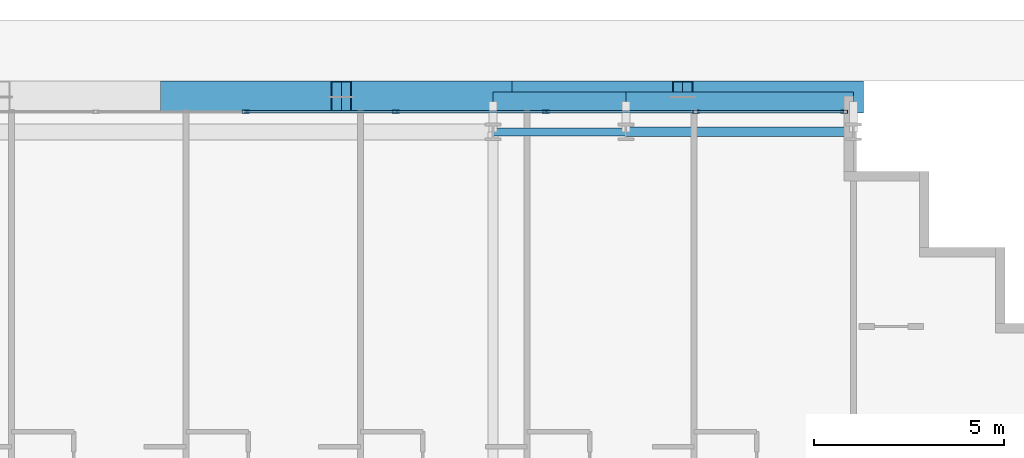
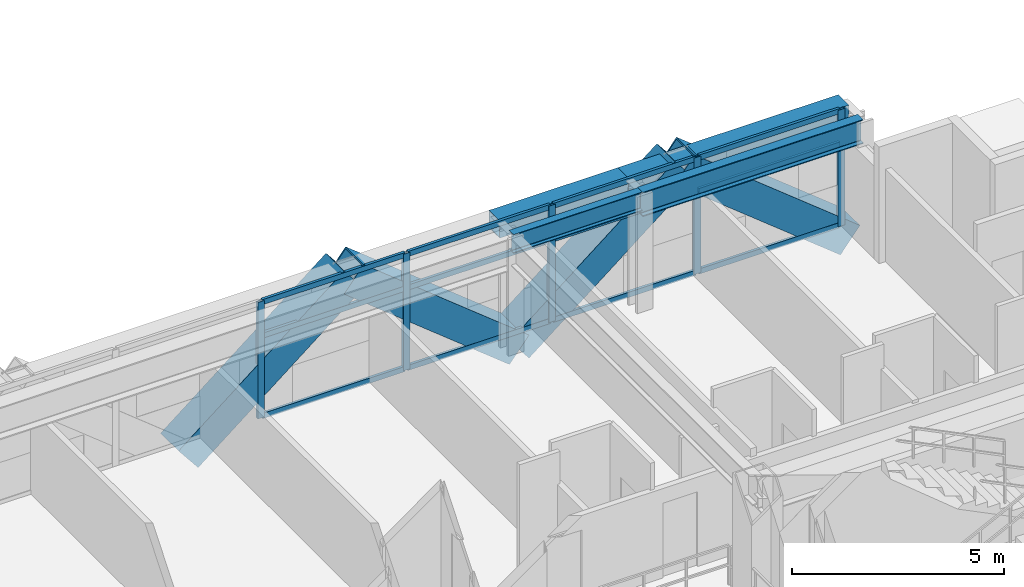
# One storey, part 20 of 35: 21 members, 4 beams, 1 element without a shape of its own.
"""IFC4 building model written with IfcOpenShell, lengths in metres."""

import ifcopenshell
import ifcopenshell.guid

model = None  # the IFC model being written
_history = None  # IfcOwnerHistory: only IFC2X3 demands one
_inside = {}  # id of a spatial element -> (the spatial element, [elements in it])
_under = {}  # id of a project, library or spatial element -> (it, [spatial elements below it])
_declared = {}  # id of a project -> (the project, [libraries it declares])
_typed = {}  # id of a type object -> (the type object, [elements of that type])
_made_of = {}  # id of a material, layer set ... -> (it, [elements and type objects made of it])


def new_model(schema):
    """Start an empty IFC model of exactly this schema.

    Asked for "IFC4X3", IfcOpenShell would pick the latest addendum, in which some entities
    have other attributes; the version numbers below select the first issue.
    IFC2X3 requires an IfcOwnerHistory on every rooted entity: one is made here for all.
    """
    global model, _history
    if schema == "IFC4X3":
        model = ifcopenshell.file(schema_version=(4, 3, 0, 0))
    else:
        model = ifcopenshell.file(schema=schema)
    _inside.clear()
    _under.clear()
    _declared.clear()
    _typed.clear()
    _made_of.clear()
    _history = None
    if model.schema == "IFC2X3":
        org = make("IfcOrganization", Name="unknown")
        user = make(
            "IfcPersonAndOrganization",
            ThePerson=make("IfcPerson", FamilyName="unknown"),
            TheOrganization=org,
        )
        app = make(
            "IfcApplication",
            ApplicationDeveloper=org,
            Version="unknown",
            ApplicationFullName="unknown",
            ApplicationIdentifier="unknown",
        )
        _history = make(
            "IfcOwnerHistory",
            OwningUser=user,
            OwningApplication=app,
            ChangeAction="ADDED",
            CreationDate=0,
        )
    return model


def make(cls, **values):
    """One entity of the class cls with the attributes given. An attribute that is None is left unset."""
    return model.create_entity(
        cls, **{name: value for name, value in values.items() if value is not None}
    )


def rooted(cls, **values):
    """An entity with a GlobalId (a new one), such as an element, a storey or a relation."""
    return make(cls, GlobalId=ifcopenshell.guid.new(), OwnerHistory=_history, **values)


def si_unit(unit_type, name, prefix=None):
    """IfcSIUnit, for example si_unit("LENGTHUNIT", "METRE", prefix="MILLI")."""
    return make("IfcSIUnit", UnitType=unit_type, Prefix=prefix, Name=name)


def assignment(units):
    """IfcUnitAssignment: the units of a project."""
    return None if units is None else make("IfcUnitAssignment", Units=units)


def point(xyz):
    """IfcCartesianPoint."""
    return None if xyz is None else make("IfcCartesianPoint", Coordinates=xyz)


def direction(xyz):
    """IfcDirection."""
    return None if xyz is None else make("IfcDirection", DirectionRatios=xyz)


def frame(location, z_axis=None, x_axis=None):
    """IfcAxis2Placement3D, a coordinate frame: its origin and axes. An axis left out is left unset."""
    return make(
        "IfcAxis2Placement3D",
        Location=point(location),
        Axis=direction(z_axis),
        RefDirection=direction(x_axis),
    )


def frame_2d(location, x_axis=None):
    """IfcAxis2Placement2D, a coordinate frame in the plane: its origin and x axis."""
    return make(
        "IfcAxis2Placement2D", Location=point(location), RefDirection=direction(x_axis)
    )


def origin():
    """The frame at (0, 0, 0) with its axes left unset."""
    return frame((0.0, 0.0, 0.0))


def origin_2d():
    """The frame at (0, 0) in the plane with its x axis left unset."""
    return frame_2d((0.0, 0.0))


def place(relative_to, where):
    """IfcLocalPlacement: puts the frame where relative to a parent placement (None: the world)."""
    return make(
        "IfcLocalPlacement", PlacementRelTo=relative_to, RelativePlacement=where
    )


def context(
    kind, dimensions, precision=None, world=None, true_north=None, identifier=None
):
    """IfcGeometricRepresentationContext, for example the 3D "Model" context."""
    return make(
        "IfcGeometricRepresentationContext",
        ContextIdentifier=identifier,
        ContextType=kind,
        CoordinateSpaceDimension=dimensions,
        Precision=precision,
        WorldCoordinateSystem=world,
        TrueNorth=true_north,
    )


def subcontext(parent, identifier, kind, view, scale=None):
    """IfcGeometricRepresentationSubContext, for example "Body" below "Model"."""
    return make(
        "IfcGeometricRepresentationSubContext",
        ContextIdentifier=identifier,
        ContextType=kind,
        ParentContext=parent,
        TargetScale=scale,
        TargetView=view,
    )


def project(units=None, contexts=None):
    """IfcProject with its units and contexts."""
    return rooted(
        "IfcProject",
        Name="project",
        RepresentationContexts=contexts,
        UnitsInContext=assignment(units),
    )


def spatial(cls, under=None, at=None, **own):
    """A site, building, storey or space (cls), placed at a placement, below another one or the project."""
    s = rooted(cls, ObjectPlacement=at, **own)
    if under is not None:
        _under.setdefault(under.id(), (under, []))[1].append(s)
    return s


def profile(cls, at=None, kind="AREA", **sizes):
    """A parametric profile (cls). Its sizes go by their IFC names, for example OverallWidth=200.0."""
    return make(cls, ProfileType=kind, Position=at, **sizes)


def hollow_rectangle(**sizes):
    """IfcRectangleHollowProfileDef."""
    return profile("IfcRectangleHollowProfileDef", **sizes)


def i_section(**sizes):
    """IfcIShapeProfileDef."""
    return profile("IfcIShapeProfileDef", **sizes)


def extrude(swept, where, along, depth):
    """IfcExtrudedAreaSolid: the profile swept, set in the frame where, extruded along a direction by depth."""
    return make(
        "IfcExtrudedAreaSolid",
        SweptArea=swept,
        Position=where,
        ExtrudedDirection=direction(along),
        Depth=depth,
    )


def shape(context_of_items, identifier, shape_type, items):
    """IfcShapeRepresentation: the items that make up one representation, for example the "Body"."""
    return make(
        "IfcShapeRepresentation",
        ContextOfItems=context_of_items,
        RepresentationIdentifier=identifier,
        RepresentationType=shape_type,
        Items=items,
    )


def source(mapping_origin, context_of_items, identifier, shape_type, items):
    """IfcRepresentationMap: a shape defined once, which mapped items show again and again."""
    return make(
        "IfcRepresentationMap",
        MappingOrigin=mapping_origin,
        MappedRepresentation=shape(context_of_items, identifier, shape_type, items),
    )


def transform(
    local_origin,
    x_axis=None,
    y_axis=None,
    z_axis=None,
    scale=None,
    scale2=None,
    scale3=None,
    uniform=True,
):
    """IfcCartesianTransformationOperator3D, or its non-uniform kind. x_axis, y_axis, z_axis: its Axis1, 2, 3."""
    if uniform:
        return make(
            "IfcCartesianTransformationOperator3D",
            Axis1=direction(x_axis),
            Axis2=direction(y_axis),
            LocalOrigin=point(local_origin),
            Scale=scale,
            Axis3=direction(z_axis),
        )
    return make(
        "IfcCartesianTransformationOperator3DnonUniform",
        Axis1=direction(x_axis),
        Axis2=direction(y_axis),
        LocalOrigin=point(local_origin),
        Scale=scale,
        Axis3=direction(z_axis),
        Scale2=scale2,
        Scale3=scale3,
    )


def mapped(mapping_source, mapping_target):
    """IfcMappedItem: shows the shape of a source again, moved by a transform."""
    return make(
        "IfcMappedItem", MappingSource=mapping_source, MappingTarget=mapping_target
    )


def material(Name=None, Category=None):
    """IfcMaterial."""
    return make("IfcMaterial", Name=Name, Category=Category)


def layer(
    of_material, thickness, ventilated=None, Name=None, Category=None, Priority=None
):
    """IfcMaterialLayer: one layer of a wall or slab, of a material (None: an air gap)."""
    return make(
        "IfcMaterialLayer",
        Material=of_material,
        LayerThickness=thickness,
        IsVentilated=ventilated,
        Name=Name,
        Category=Category,
        Priority=Priority,
    )


def layer_set(layers, Name=None):
    """IfcMaterialLayerSet."""
    return make("IfcMaterialLayerSet", MaterialLayers=layers, LayerSetName=Name)


def material_profile(
    of_material, cross_section, Name=None, Category=None, Priority=None
):
    """IfcMaterialProfile: a cross section and its material."""
    return make(
        "IfcMaterialProfile",
        Name=Name,
        Material=of_material,
        Profile=cross_section,
        Priority=Priority,
        Category=Category,
    )


def profile_set(profiles, Name=None, composite=None):
    """IfcMaterialProfileSet."""
    return make(
        "IfcMaterialProfileSet",
        Name=Name,
        MaterialProfiles=profiles,
        CompositeProfile=composite,
    )


def made_of(thing, what):
    """Note that an element or type object is made of a material, layer set ...; save() writes the relation."""
    if what is not None:
        _made_of.setdefault(what.id(), (what, []))[1].append(thing)
    return thing


def type_object(cls, material=None, **own):
    """A type object (cls), such as IfcWallType, which elements share."""
    return made_of(rooted(cls, **own), material)


def element(
    cls,
    number,
    at=None,
    inside=None,
    cuts=None,
    type_object=None,
    material=None,
    context=None,
    identifier="Body",
    shape_type=None,
    held_by="IfcProductDefinitionShape",
    body=None,
    shapes=None,
    **own,
):
    """One element of the class cls, such as IfcWall. Its Tag is "e" and its number.

    at: its placement. inside: the storey or other place that contains it. cuts: it is an
    opening in that element (IfcRelVoidsElement). A single representation is given by context,
    identifier, shape_type and body (its items); several are given by shapes. held_by: the class
    of the entity that holds the representations. save() writes the other relations.
    """
    e = rooted(cls, Tag="e%d" % number, ObjectPlacement=at, **own)
    if body is not None:
        shapes = [shape(context, identifier, shape_type, body)]
    if shapes is not None:
        e.Representation = make(held_by, Representations=shapes)
    if inside is not None:
        _inside.setdefault(inside.id(), (inside, []))[1].append(e)
    if cuts is not None:
        rooted(
            "IfcRelVoidsElement", RelatingBuildingElement=cuts, RelatedOpeningElement=e
        )
    if type_object is not None:
        _typed.setdefault(type_object.id(), (type_object, []))[1].append(e)
    return made_of(e, material)


def aggregate(whole, parts):
    """IfcRelAggregates: a whole, such as a stair, and the parts it consists of."""
    return rooted("IfcRelAggregates", RelatingObject=whole, RelatedObjects=parts)


def save(model, path):
    """Write the relations noted so far, then the file.

    IfcRelAggregates (storeys below a building ...), IfcRelContainedInSpatialStructure (elements
    in a storey), IfcRelDefinesByType, IfcRelAssociatesMaterial and IfcRelDeclares: one each for
    every whole, place, type object, material and project.
    """
    for whole, parts in _under.values():
        aggregate(whole, parts)
    for where, things in _inside.values():
        rooted(
            "IfcRelContainedInSpatialStructure",
            RelatedElements=things,
            RelatingStructure=where,
        )
    for kind, things in _typed.values():
        rooted("IfcRelDefinesByType", RelatedObjects=things, RelatingType=kind)
    for what, things in _made_of.values():
        rooted("IfcRelAssociatesMaterial", RelatedObjects=things, RelatingMaterial=what)
    for by, libraries in _declared.values():
        rooted("IfcRelDeclares", RelatingContext=by, RelatedDefinitions=libraries)
    model.write(path)


model = new_model("IFC4")

# Units and contexts
model_context = context("Model", 3, precision=1e-05, world=origin(), true_north=direction((0.0, 1.0)))
body_context = subcontext(model_context, "Body", "Model", "MODEL_VIEW")
ifc_project = project(units=[si_unit("LENGTHUNIT", "METRE"), si_unit("AREAUNIT", "SQUARE_METRE"), si_unit("VOLUMEUNIT", "CUBIC_METRE"), si_unit("PLANEANGLEUNIT", "RADIAN"), si_unit("MASSUNIT", "GRAM", prefix="KILO")], contexts=[model_context])

# Site, building, storey
site_placement = place(None, origin())
site = spatial("IfcSite", under=ifc_project, at=site_placement, CompositionType="ELEMENT")
building_placement = place(site_placement, origin())
building = spatial("IfcBuilding", under=site, at=building_placement, Name="Ocotamira Hotel", CompositionType="ELEMENT")
storey_placement = place(building_placement, frame((0.0, 0.0, 34.800048828125)))
storey = spatial("IfcBuildingStorey", under=building, at=storey_placement, Name="L07", CompositionType="ELEMENT", Elevation=34.800048828125)

# Beams
ifc_material_1 = material(Name="Steel ASTM A992 Grade 50", Category="steel")
ifc_material_profile_1 = material_profile(ifc_material_1, i_section(OverallWidth=0.256103515625, OverallDepth=0.693115234375, WebThickness=0.014404296875, FlangeThickness=0.023681640625, FilletRadius=0.01611328125, at=origin_2d()), Name="W27X114")
ifc_profile_set_1 = profile_set([ifc_material_profile_1], Name="Steel ASTM A992 Grade 50")
beam_type_1 = type_object("IfcBeamType", Name="BM-PRIM-W27X114", PredefinedType="BEAM", material=ifc_profile_set_1)
shared_shape_1 = source(origin(), body_context, "Body", "SweptSolid", [
    extrude(i_section(OverallWidth=0.256103515625, OverallDepth=0.693115234375, WebThickness=0.014404296875, FlangeThickness=0.023681640625, FilletRadius=0.01611328125, at=origin_2d()), origin(), (0.0, 0.0, 1.0), 6.0),
])
beam_1_placement = place(storey_placement, frame((44.0, 49.050048828125, 3.00341796875), z_axis=(1.0, 0.0, 0.0), x_axis=(0.0, 1.0, 0.0)))
element("IfcBeam", 1, at=beam_1_placement, inside=storey, type_object=beam_type_1, Name="L07 Girder Y49.05 X44-50", PredefinedType="BEAM", context=body_context, shape_type="MappedRepresentation", body=[
    mapped(shared_shape_1, transform((0.0, 0.0, 0.0), scale=1.0)),
])
ifc_material_profile_2 = material_profile(ifc_material_1, i_section(OverallWidth=0.2099609375, OverallDepth=0.537109375, WebThickness=0.010986328125, FlangeThickness=0.017333984375, FilletRadius=0.012939453125, at=origin_2d()), Name="W21X68")
ifc_profile_set_2 = profile_set([ifc_material_profile_2], Name="Steel ASTM A992 Grade 50")
beam_type_2 = type_object("IfcBeamType", Name="BM-SEC-W21X68", PredefinedType="JOIST", material=ifc_profile_set_2)
shared_shape_2 = source(origin(), body_context, "Body", "SweptSolid", [
    extrude(i_section(OverallWidth=0.2099609375, OverallDepth=0.537109375, WebThickness=0.010986328125, FlangeThickness=0.017333984375, FilletRadius=0.012939453125, at=origin_2d()), origin(), (0.0, 0.0, 1.0), 3.5),
])
beam_2_placement = place(storey_placement, frame((40.5, 49.050048828125, 3.08154296875), z_axis=(1.0, 0.0, 0.0), x_axis=(0.0, 1.0, 0.0)))
element("IfcBeam", 2, at=beam_2_placement, inside=storey, type_object=beam_type_2, Name="L07 Girder Y49.05 X40.5-44", PredefinedType="JOIST", context=body_context, shape_type="MappedRepresentation", body=[
    mapped(shared_shape_2, transform((0.0, 0.0, 0.0), scale=1.0)),
])
ifc_material_2 = material(Name="Steel ASTM A500 Grade C", Category="steel")
ifc_material_profile_3 = material_profile(ifc_material_2, hollow_rectangle(XDim=0.5, YDim=0.5, WallThickness=0.02001953125, at=origin_2d()), Name="HSS500X500X20")
ifc_profile_set_3 = profile_set([ifc_material_profile_3], Name="Steel ASTM A500 Grade C")
beam_type_3 = type_object("IfcBeamType", Name="BM-SPAN-HSS500", PredefinedType="USERDEFINED", material=ifc_profile_set_3)
shared_shape_3 = source(origin(), body_context, "Body", "SweptSolid", [
    extrude(hollow_rectangle(XDim=0.5, YDim=0.5, WallThickness=0.02001953125, at=origin_2d()), origin(), (0.0, 0.0, 1.0), 6.0),
])
beam_3_placement = place(storey_placement, frame((44.0, 49.85009765625, 3.099853515625), z_axis=(1.0, 0.0, 0.0), x_axis=(0.0, 1.0, 0.0)))
element("IfcBeam", 3, at=beam_3_placement, inside=storey, type_object=beam_type_3, Name="L07 Edge Spandrel N X44-50", ObjectType="SPANDREL", PredefinedType="USERDEFINED", context=body_context, shape_type="MappedRepresentation", body=[
    mapped(shared_shape_3, transform((0.0, 0.0, 0.0), scale=1.0)),
])
shared_shape_4 = source(origin(), body_context, "Body", "SweptSolid", [
    extrude(hollow_rectangle(XDim=0.5, YDim=0.5, WallThickness=0.02001953125, at=origin_2d()), origin(), (0.0, 0.0, 1.0), 3.5),
])
beam_4_placement = place(storey_placement, frame((40.5, 49.85009765625, 3.099853515625), z_axis=(1.0, 0.0, 0.0), x_axis=(0.0, 1.0, 0.0)))
element("IfcBeam", 4, at=beam_4_placement, inside=storey, type_object=beam_type_3, Name="L07 Edge Spandrel N X40.5-44", ObjectType="SPANDREL", PredefinedType="USERDEFINED", context=body_context, shape_type="MappedRepresentation", body=[
    mapped(shared_shape_4, transform((0.0, 0.0, 0.0), scale=1.0)),
])

# Members
ifc_material_3 = material(Name="Pale-metal coated steel ASTM A913 Grade 65", Category="steel")
ifc_material_profile_4 = material_profile(ifc_material_3, hollow_rectangle(XDim=0.85009765625, YDim=0.85009765625, WallThickness=0.035888671875, at=origin_2d()), Name="BOX850X850X36")
ifc_profile_set_4 = profile_set([ifc_material_profile_4], Name="Pale-metal coated steel ASTM A913 Grade 65")
member_type_1 = type_object("IfcMemberType", Name="MEM-EXO-BOX850", PredefinedType="BRACE", material=ifc_profile_set_4)
shared_shape_5 = source(origin(), body_context, "Body", "SweptSolid", [
    extrude(hollow_rectangle(XDim=0.85009765625, YDim=0.85009765625, WallThickness=0.035888671875, at=origin_2d()), origin(), (0.0, 0.0, 1.0), 5.7626953125),
])
for number, where, z_axis, x_axis, name in (
    (5, (32.0, 49.969970703125, -0.5), (0.780881208953, 0.0, 0.624679547852), (0.0, 1.0, 0.0), "L07 Exoskeleton Diagrid N2.1"),
    (6, (41.0, 49.969970703125, -0.5), (-0.780881208953, 0.0, 0.624679547852), (0.0, -1.0, 0.0), "L07 Exoskeleton Diagrid N2.2"),
    (7, (41.0, 49.969970703125, -0.5), (0.780881208953, 0.0, 0.624679547852), (0.0, 1.0, 0.0), "L07 Exoskeleton Diagrid N3.1"),
    (8, (50.0, 49.969970703125, -0.5), (-0.780881208953, 0.0, 0.624679547852), (0.0, -1.0, 0.0), "L07 Exoskeleton Diagrid N3.2"),
):
    element("IfcMember", number, at=place(storey_placement, frame(where, z_axis=z_axis, x_axis=x_axis)), inside=storey, type_object=member_type_1, Name=name, PredefinedType="BRACE", context=body_context, shape_type="MappedRepresentation", body=[
        mapped(shared_shape_5, transform((0.0, 0.0, 0.0), scale=1.0)),
    ])

# Curtain wall, members
ifc_material_4 = material(Name="Anodised pale-metal aluminium and solar glass", Category="aluminium")
ifc_layer = layer(ifc_material_4, 0.179931640625)
ifc_layer_set = layer_set([ifc_layer], Name="Anodised pale-metal aluminium and solar glass")
curtain_wall_type = type_object("IfcCurtainWallType", Name="CW-SYS2-Z1", PredefinedType="NOTDEFINED", material=ifc_layer_set)
curtain_wall_placement = place(storey_placement, origin())
curtain_wall = element("IfcCurtainWall", 9, at=curtain_wall_placement, inside=storey, type_object=curtain_wall_type, Name="L07 Curtain Wall CW-2 CW-L07-N", PredefinedType="NOTDEFINED")
ifc_material_5 = material(Name="Anodised pale-metal aluminium 6063-T6", Category="aluminium")
ifc_material_profile_5 = material_profile(ifc_material_5, hollow_rectangle(XDim=0.080078125, YDim=0.179931640625, WallThickness=0.006103515625, at=origin_2d()), Name="HSS180X80X6")
ifc_profile_set_5 = profile_set([ifc_material_profile_5], Name="Anodised pale-metal aluminium 6063-T6")
member_type_2 = type_object("IfcMemberType", Name="CWM-180X75", PredefinedType="MULLION", material=ifc_profile_set_5)
shared_shape_6 = source(origin(), body_context, "Body", "SweptSolid", [
    extrude(hollow_rectangle(XDim=0.080078125, YDim=0.179931640625, WallThickness=0.006103515625, at=origin_2d()), origin(), (0.0, 0.0, 1.0), 3.349853515625),
])
member_1_placement = place(storey_placement, frame((33.977783203125, 49.580078125, 0.0), z_axis=(0.0, 0.0, 1.0), x_axis=(0.0, 1.0, 0.0)))
member_1 = element("IfcMember", 10, at=member_1_placement, type_object=member_type_2, Name="CW-2 mullion 6", PredefinedType="MULLION", context=body_context, shape_type="MappedRepresentation", body=[
    mapped(shared_shape_6, transform((0.0, 0.0, 0.0), scale=1.0)),
])
member_2_placement = place(storey_placement, frame((37.933349609375, 49.580078125, 0.0), z_axis=(0.0, 0.0, 1.0), x_axis=(0.0, 1.0, 0.0)))
member_2 = element("IfcMember", 11, at=member_2_placement, type_object=member_type_2, Name="CW-2 mullion 7", PredefinedType="MULLION", context=body_context, shape_type="MappedRepresentation", body=[
    mapped(shared_shape_6, transform((0.0, 0.0, 0.0), scale=1.0)),
])
member_3_placement = place(storey_placement, frame((41.888916015625, 49.580078125, 0.0), z_axis=(0.0, 0.0, 1.0), x_axis=(0.0, 1.0, 0.0)))
member_3 = element("IfcMember", 12, at=member_3_placement, type_object=member_type_2, Name="CW-2 mullion 8", PredefinedType="MULLION", context=body_context, shape_type="MappedRepresentation", body=[
    mapped(shared_shape_6, transform((0.0, 0.0, 0.0), scale=1.0)),
])
member_4_placement = place(storey_placement, frame((45.844482421875, 49.580078125, 0.0), z_axis=(0.0, 0.0, 1.0), x_axis=(0.0, 1.0, 0.0)))
member_4 = element("IfcMember", 13, at=member_4_placement, type_object=member_type_2, Name="CW-2 mullion 9", PredefinedType="MULLION", context=body_context, shape_type="MappedRepresentation", body=[
    mapped(shared_shape_6, transform((0.0, 0.0, 0.0), scale=1.0)),
])
member_5_placement = place(storey_placement, frame((49.760009765625, 49.580078125, 0.0), z_axis=(0.0, 0.0, 1.0), x_axis=(0.0, 1.0, 0.0)))
member_5 = element("IfcMember", 14, at=member_5_placement, type_object=member_type_2, Name="CW-2 mullion 10", PredefinedType="MULLION", context=body_context, shape_type="MappedRepresentation", body=[
    mapped(shared_shape_6, transform((0.0, 0.0, 0.0), scale=1.0)),
])
ifc_material_profile_6 = material_profile(ifc_material_5, hollow_rectangle(XDim=0.074951171875, YDim=0.14990234375, WallThickness=0.006103515625, at=origin_2d()), Name="HSS150X75X6")
ifc_profile_set_6 = profile_set([ifc_material_profile_6], Name="Anodised pale-metal aluminium 6063-T6")
member_type_3 = type_object("IfcMemberType", Name="CWT-150X75", PredefinedType="USERDEFINED", material=ifc_profile_set_6)
shared_shape_7 = source(origin(), body_context, "Body", "SweptSolid", [
    extrude(hollow_rectangle(XDim=0.074951171875, YDim=0.14990234375, WallThickness=0.006103515625, at=origin_2d()), origin(), (0.0, 0.0, 1.0), 3.83544921875),
])
member_6_placement = place(storey_placement, frame((45.884521484375, 49.580078125, 0.037353515625), z_axis=(1.0, 0.0, 0.0), x_axis=(0.0, 1.0, 0.0)))
member_6 = element("IfcMember", 15, at=member_6_placement, type_object=member_type_3, Name="CW-2 transom 9.1", ObjectType="TRANSOM", PredefinedType="USERDEFINED", context=body_context, shape_type="MappedRepresentation", body=[
    mapped(shared_shape_7, transform((0.0, 0.0, 0.0), scale=1.0)),
])
member_7_placement = place(storey_placement, frame((45.884521484375, 49.580078125, 2.349853515625), z_axis=(1.0, 0.0, 0.0), x_axis=(0.0, 1.0, 0.0)))
member_7 = element("IfcMember", 16, at=member_7_placement, type_object=member_type_3, Name="CW-2 transom 9.2", ObjectType="TRANSOM", PredefinedType="USERDEFINED", context=body_context, shape_type="MappedRepresentation", body=[
    mapped(shared_shape_7, transform((0.0, 0.0, 0.0), scale=1.0)),
])
member_8_placement = place(storey_placement, frame((45.884521484375, 49.580078125, 3.3125), z_axis=(1.0, 0.0, 0.0), x_axis=(0.0, 1.0, 0.0)))
member_8 = element("IfcMember", 17, at=member_8_placement, type_object=member_type_3, Name="CW-2 transom 9.3", ObjectType="TRANSOM", PredefinedType="USERDEFINED", context=body_context, shape_type="MappedRepresentation", body=[
    mapped(shared_shape_7, transform((0.0, 0.0, 0.0), scale=1.0)),
])
shared_shape_8 = source(origin(), body_context, "Body", "SweptSolid", [
    extrude(hollow_rectangle(XDim=0.074951171875, YDim=0.14990234375, WallThickness=0.006103515625, at=origin_2d()), origin(), (0.0, 0.0, 1.0), 3.87548828125),
])
member_9_placement = place(storey_placement, frame((34.017822265625, 49.580078125, 0.037353515625), z_axis=(1.0, 0.0, 0.0), x_axis=(0.0, 1.0, 0.0)))
member_9 = element("IfcMember", 18, at=member_9_placement, type_object=member_type_3, Name="CW-2 transom 6.1", ObjectType="TRANSOM", PredefinedType="USERDEFINED", context=body_context, shape_type="MappedRepresentation", body=[
    mapped(shared_shape_8, transform((0.0, 0.0, 0.0), scale=1.0)),
])
member_10_placement = place(storey_placement, frame((34.017822265625, 49.580078125, 2.349853515625), z_axis=(1.0, 0.0, 0.0), x_axis=(0.0, 1.0, 0.0)))
member_10 = element("IfcMember", 19, at=member_10_placement, type_object=member_type_3, Name="CW-2 transom 6.2", ObjectType="TRANSOM", PredefinedType="USERDEFINED", context=body_context, shape_type="MappedRepresentation", body=[
    mapped(shared_shape_8, transform((0.0, 0.0, 0.0), scale=1.0)),
])
member_11_placement = place(storey_placement, frame((34.017822265625, 49.580078125, 3.3125), z_axis=(1.0, 0.0, 0.0), x_axis=(0.0, 1.0, 0.0)))
member_11 = element("IfcMember", 20, at=member_11_placement, type_object=member_type_3, Name="CW-2 transom 6.3", ObjectType="TRANSOM", PredefinedType="USERDEFINED", context=body_context, shape_type="MappedRepresentation", body=[
    mapped(shared_shape_8, transform((0.0, 0.0, 0.0), scale=1.0)),
])
member_12_placement = place(storey_placement, frame((37.973388671875, 49.580078125, 0.037353515625), z_axis=(1.0, 0.0, 0.0), x_axis=(0.0, 1.0, 0.0)))
member_12 = element("IfcMember", 21, at=member_12_placement, type_object=member_type_3, Name="CW-2 transom 7.1", ObjectType="TRANSOM", PredefinedType="USERDEFINED", context=body_context, shape_type="MappedRepresentation", body=[
    mapped(shared_shape_8, transform((0.0, 0.0, 0.0), scale=1.0)),
])
member_13_placement = place(storey_placement, frame((37.973388671875, 49.580078125, 2.349853515625), z_axis=(1.0, 0.0, 0.0), x_axis=(0.0, 1.0, 0.0)))
member_13 = element("IfcMember", 22, at=member_13_placement, type_object=member_type_3, Name="CW-2 transom 7.2", ObjectType="TRANSOM", PredefinedType="USERDEFINED", context=body_context, shape_type="MappedRepresentation", body=[
    mapped(shared_shape_8, transform((0.0, 0.0, 0.0), scale=1.0)),
])
member_14_placement = place(storey_placement, frame((37.973388671875, 49.580078125, 3.3125), z_axis=(1.0, 0.0, 0.0), x_axis=(0.0, 1.0, 0.0)))
member_14 = element("IfcMember", 23, at=member_14_placement, type_object=member_type_3, Name="CW-2 transom 7.3", ObjectType="TRANSOM", PredefinedType="USERDEFINED", context=body_context, shape_type="MappedRepresentation", body=[
    mapped(shared_shape_8, transform((0.0, 0.0, 0.0), scale=1.0)),
])
member_15_placement = place(storey_placement, frame((41.928955078125, 49.580078125, 0.037353515625), z_axis=(1.0, 0.0, 0.0), x_axis=(0.0, 1.0, 0.0)))
member_15 = element("IfcMember", 24, at=member_15_placement, type_object=member_type_3, Name="CW-2 transom 8.1", ObjectType="TRANSOM", PredefinedType="USERDEFINED", context=body_context, shape_type="MappedRepresentation", body=[
    mapped(shared_shape_8, transform((0.0, 0.0, 0.0), scale=1.0)),
])
member_16_placement = place(storey_placement, frame((41.928955078125, 49.580078125, 2.349853515625), z_axis=(1.0, 0.0, 0.0), x_axis=(0.0, 1.0, 0.0)))
member_16 = element("IfcMember", 25, at=member_16_placement, type_object=member_type_3, Name="CW-2 transom 8.2", ObjectType="TRANSOM", PredefinedType="USERDEFINED", context=body_context, shape_type="MappedRepresentation", body=[
    mapped(shared_shape_8, transform((0.0, 0.0, 0.0), scale=1.0)),
])
member_17_placement = place(storey_placement, frame((41.928955078125, 49.580078125, 3.3125), z_axis=(1.0, 0.0, 0.0), x_axis=(0.0, 1.0, 0.0)))
member_17 = element("IfcMember", 26, at=member_17_placement, type_object=member_type_3, Name="CW-2 transom 8.3", ObjectType="TRANSOM", PredefinedType="USERDEFINED", context=body_context, shape_type="MappedRepresentation", body=[
    mapped(shared_shape_8, transform((0.0, 0.0, 0.0), scale=1.0)),
])
aggregate(curtain_wall, [member_1, member_2, member_3, member_4, member_5, member_9, member_10, member_11, member_12, member_13, member_14, member_15, member_16, member_17, member_6, member_7, member_8])

save(model, "model.ifc")
